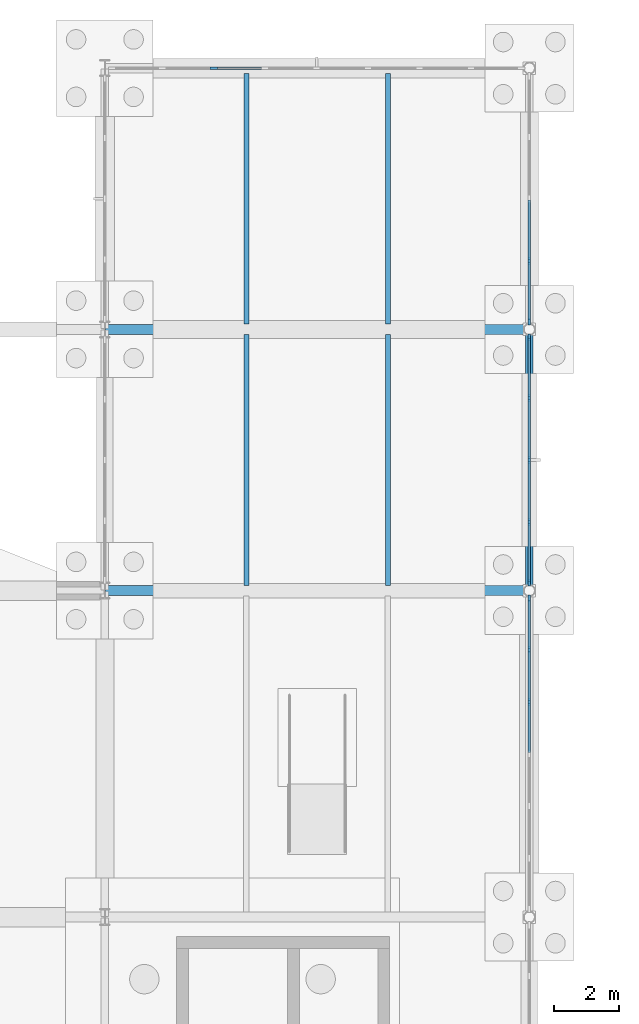
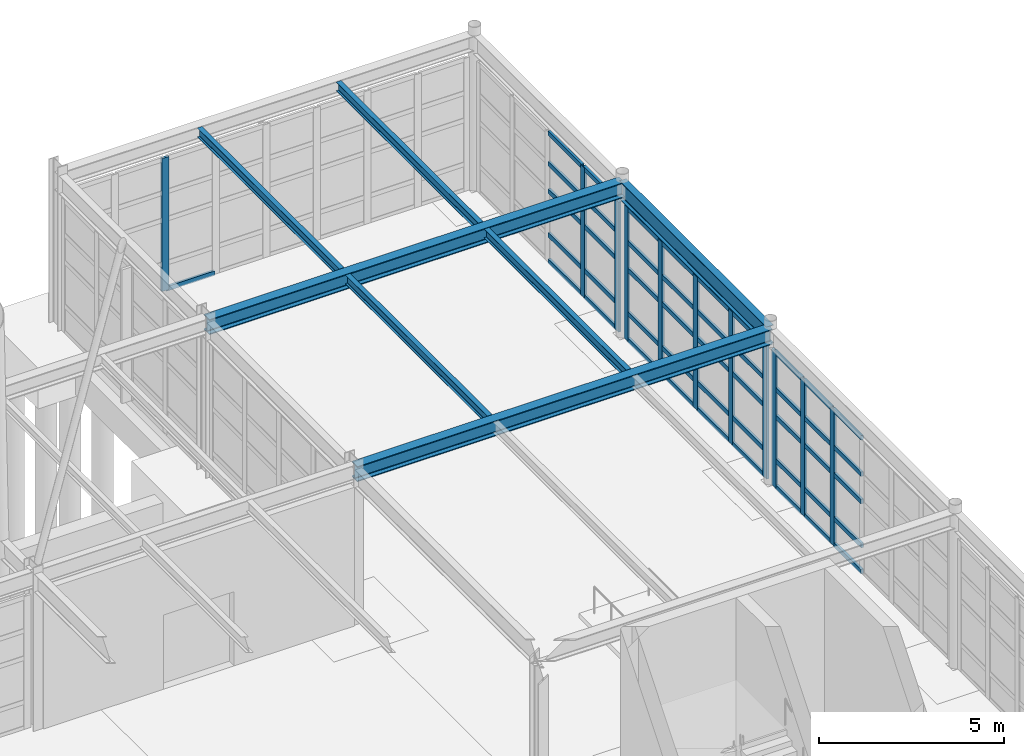
# One storey, part 79 of 145: 57 members, 7 beams, 4 elements without a shape of their own.
"""IFC4 building model written with IfcOpenShell, lengths in metres."""

import ifcopenshell
import ifcopenshell.guid

model = None  # the IFC model being written
_history = None  # IfcOwnerHistory: only IFC2X3 demands one
_inside = {}  # id of a spatial element -> (the spatial element, [elements in it])
_under = {}  # id of a project, library or spatial element -> (it, [spatial elements below it])
_declared = {}  # id of a project -> (the project, [libraries it declares])
_typed = {}  # id of a type object -> (the type object, [elements of that type])
_made_of = {}  # id of a material, layer set ... -> (it, [elements and type objects made of it])


def new_model(schema):
    """Start an empty IFC model of exactly this schema.

    Asked for "IFC4X3", IfcOpenShell would pick the latest addendum, in which some entities
    have other attributes; the version numbers below select the first issue.
    IFC2X3 requires an IfcOwnerHistory on every rooted entity: one is made here for all.
    """
    global model, _history
    if schema == "IFC4X3":
        model = ifcopenshell.file(schema_version=(4, 3, 0, 0))
    else:
        model = ifcopenshell.file(schema=schema)
    _inside.clear()
    _under.clear()
    _declared.clear()
    _typed.clear()
    _made_of.clear()
    _history = None
    if model.schema == "IFC2X3":
        org = make("IfcOrganization", Name="unknown")
        user = make(
            "IfcPersonAndOrganization",
            ThePerson=make("IfcPerson", FamilyName="unknown"),
            TheOrganization=org,
        )
        app = make(
            "IfcApplication",
            ApplicationDeveloper=org,
            Version="unknown",
            ApplicationFullName="unknown",
            ApplicationIdentifier="unknown",
        )
        _history = make(
            "IfcOwnerHistory",
            OwningUser=user,
            OwningApplication=app,
            ChangeAction="ADDED",
            CreationDate=0,
        )
    return model


def make(cls, **values):
    """One entity of the class cls with the attributes given. An attribute that is None is left unset."""
    return model.create_entity(
        cls, **{name: value for name, value in values.items() if value is not None}
    )


def rooted(cls, **values):
    """An entity with a GlobalId (a new one), such as an element, a storey or a relation."""
    return make(cls, GlobalId=ifcopenshell.guid.new(), OwnerHistory=_history, **values)


def si_unit(unit_type, name, prefix=None):
    """IfcSIUnit, for example si_unit("LENGTHUNIT", "METRE", prefix="MILLI")."""
    return make("IfcSIUnit", UnitType=unit_type, Prefix=prefix, Name=name)


def assignment(units):
    """IfcUnitAssignment: the units of a project."""
    return None if units is None else make("IfcUnitAssignment", Units=units)


def point(xyz):
    """IfcCartesianPoint."""
    return None if xyz is None else make("IfcCartesianPoint", Coordinates=xyz)


def direction(xyz):
    """IfcDirection."""
    return None if xyz is None else make("IfcDirection", DirectionRatios=xyz)


def frame(location, z_axis=None, x_axis=None):
    """IfcAxis2Placement3D, a coordinate frame: its origin and axes. An axis left out is left unset."""
    return make(
        "IfcAxis2Placement3D",
        Location=point(location),
        Axis=direction(z_axis),
        RefDirection=direction(x_axis),
    )


def frame_2d(location, x_axis=None):
    """IfcAxis2Placement2D, a coordinate frame in the plane: its origin and x axis."""
    return make(
        "IfcAxis2Placement2D", Location=point(location), RefDirection=direction(x_axis)
    )


def origin():
    """The frame at (0, 0, 0) with its axes left unset."""
    return frame((0.0, 0.0, 0.0))


def origin_2d():
    """The frame at (0, 0) in the plane with its x axis left unset."""
    return frame_2d((0.0, 0.0))


def place(relative_to, where):
    """IfcLocalPlacement: puts the frame where relative to a parent placement (None: the world)."""
    return make(
        "IfcLocalPlacement", PlacementRelTo=relative_to, RelativePlacement=where
    )


def context(
    kind, dimensions, precision=None, world=None, true_north=None, identifier=None
):
    """IfcGeometricRepresentationContext, for example the 3D "Model" context."""
    return make(
        "IfcGeometricRepresentationContext",
        ContextIdentifier=identifier,
        ContextType=kind,
        CoordinateSpaceDimension=dimensions,
        Precision=precision,
        WorldCoordinateSystem=world,
        TrueNorth=true_north,
    )


def subcontext(parent, identifier, kind, view, scale=None):
    """IfcGeometricRepresentationSubContext, for example "Body" below "Model"."""
    return make(
        "IfcGeometricRepresentationSubContext",
        ContextIdentifier=identifier,
        ContextType=kind,
        ParentContext=parent,
        TargetScale=scale,
        TargetView=view,
    )


def project(units=None, contexts=None):
    """IfcProject with its units and contexts."""
    return rooted(
        "IfcProject",
        Name="project",
        RepresentationContexts=contexts,
        UnitsInContext=assignment(units),
    )


def spatial(cls, under=None, at=None, **own):
    """A site, building, storey or space (cls), placed at a placement, below another one or the project."""
    s = rooted(cls, ObjectPlacement=at, **own)
    if under is not None:
        _under.setdefault(under.id(), (under, []))[1].append(s)
    return s


def profile(cls, at=None, kind="AREA", **sizes):
    """A parametric profile (cls). Its sizes go by their IFC names, for example OverallWidth=200.0."""
    return make(cls, ProfileType=kind, Position=at, **sizes)


def rectangle(**sizes):
    """IfcRectangleProfileDef."""
    return profile("IfcRectangleProfileDef", **sizes)


def i_section(**sizes):
    """IfcIShapeProfileDef."""
    return profile("IfcIShapeProfileDef", **sizes)


def extrude(swept, where, along, depth):
    """IfcExtrudedAreaSolid: the profile swept, set in the frame where, extruded along a direction by depth."""
    return make(
        "IfcExtrudedAreaSolid",
        SweptArea=swept,
        Position=where,
        ExtrudedDirection=direction(along),
        Depth=depth,
    )


def shape(context_of_items, identifier, shape_type, items):
    """IfcShapeRepresentation: the items that make up one representation, for example the "Body"."""
    return make(
        "IfcShapeRepresentation",
        ContextOfItems=context_of_items,
        RepresentationIdentifier=identifier,
        RepresentationType=shape_type,
        Items=items,
    )


def material(Name=None, Category=None):
    """IfcMaterial."""
    return make("IfcMaterial", Name=Name, Category=Category)


def layer(
    of_material, thickness, ventilated=None, Name=None, Category=None, Priority=None
):
    """IfcMaterialLayer: one layer of a wall or slab, of a material (None: an air gap)."""
    return make(
        "IfcMaterialLayer",
        Material=of_material,
        LayerThickness=thickness,
        IsVentilated=ventilated,
        Name=Name,
        Category=Category,
        Priority=Priority,
    )


def layer_set(layers, Name=None):
    """IfcMaterialLayerSet."""
    return make("IfcMaterialLayerSet", MaterialLayers=layers, LayerSetName=Name)


def material_profile(
    of_material, cross_section, Name=None, Category=None, Priority=None
):
    """IfcMaterialProfile: a cross section and its material."""
    return make(
        "IfcMaterialProfile",
        Name=Name,
        Material=of_material,
        Profile=cross_section,
        Priority=Priority,
        Category=Category,
    )


def profile_set(profiles, Name=None, composite=None):
    """IfcMaterialProfileSet."""
    return make(
        "IfcMaterialProfileSet",
        Name=Name,
        MaterialProfiles=profiles,
        CompositeProfile=composite,
    )


def made_of(thing, what):
    """Note that an element or type object is made of a material, layer set ...; save() writes the relation."""
    if what is not None:
        _made_of.setdefault(what.id(), (what, []))[1].append(thing)
    return thing


def type_object(cls, material=None, **own):
    """A type object (cls), such as IfcWallType, which elements share."""
    return made_of(rooted(cls, **own), material)


def element(
    cls,
    number,
    at=None,
    inside=None,
    cuts=None,
    type_object=None,
    material=None,
    context=None,
    identifier="Body",
    shape_type=None,
    held_by="IfcProductDefinitionShape",
    body=None,
    shapes=None,
    **own,
):
    """One element of the class cls, such as IfcWall. Its Tag is "e" and its number.

    at: its placement. inside: the storey or other place that contains it. cuts: it is an
    opening in that element (IfcRelVoidsElement). A single representation is given by context,
    identifier, shape_type and body (its items); several are given by shapes. held_by: the class
    of the entity that holds the representations. save() writes the other relations.
    """
    e = rooted(cls, Tag="e%d" % number, ObjectPlacement=at, **own)
    if body is not None:
        shapes = [shape(context, identifier, shape_type, body)]
    if shapes is not None:
        e.Representation = make(held_by, Representations=shapes)
    if inside is not None:
        _inside.setdefault(inside.id(), (inside, []))[1].append(e)
    if cuts is not None:
        rooted(
            "IfcRelVoidsElement", RelatingBuildingElement=cuts, RelatedOpeningElement=e
        )
    if type_object is not None:
        _typed.setdefault(type_object.id(), (type_object, []))[1].append(e)
    return made_of(e, material)


def aggregate(whole, parts):
    """IfcRelAggregates: a whole, such as a stair, and the parts it consists of."""
    return rooted("IfcRelAggregates", RelatingObject=whole, RelatedObjects=parts)


def save(model, path):
    """Write the relations noted so far, then the file.

    IfcRelAggregates (storeys below a building ...), IfcRelContainedInSpatialStructure (elements
    in a storey), IfcRelDefinesByType, IfcRelAssociatesMaterial and IfcRelDeclares: one each for
    every whole, place, type object, material and project.
    """
    for whole, parts in _under.values():
        aggregate(whole, parts)
    for where, things in _inside.values():
        rooted(
            "IfcRelContainedInSpatialStructure",
            RelatedElements=things,
            RelatingStructure=where,
        )
    for kind, things in _typed.values():
        rooted("IfcRelDefinesByType", RelatedObjects=things, RelatingType=kind)
    for what, things in _made_of.values():
        rooted("IfcRelAssociatesMaterial", RelatedObjects=things, RelatingMaterial=what)
    for by, libraries in _declared.values():
        rooted("IfcRelDeclares", RelatingContext=by, RelatedDefinitions=libraries)
    model.write(path)


model = new_model("IFC4")

# Units and contexts
model_context = context("Model", 3, precision=1e-05, world=origin(), true_north=direction((0.0, 1.0)))
body_context = subcontext(model_context, "Body", "Model", "MODEL_VIEW")
ifc_project = project(units=[si_unit("LENGTHUNIT", "METRE"), si_unit("AREAUNIT", "SQUARE_METRE"), si_unit("VOLUMEUNIT", "CUBIC_METRE"), si_unit("PLANEANGLEUNIT", "RADIAN"), si_unit("MASSUNIT", "GRAM", prefix="KILO"), si_unit("THERMODYNAMICTEMPERATUREUNIT", "KELVIN"), si_unit("POWERUNIT", "WATT")], contexts=[model_context])

# Site, building, storey
site_placement = place(None, origin())
site = spatial("IfcSite", under=ifc_project, at=site_placement, CompositionType="ELEMENT")
building_placement = place(site_placement, origin())
building = spatial("IfcBuilding", under=site, at=building_placement, Name="Korenveer Ferry Terminal", CompositionType="ELEMENT")
storey_placement = place(building_placement, origin())
storey = spatial("IfcBuildingStorey", under=building, at=storey_placement, Name="L00", CompositionType="ELEMENT", Elevation=0.0)

# Curtain wall, member
ifc_material_1 = material(Name="Unitised bronze-and-glass curtain wall", Category="glass")
ifc_layer_1 = layer(ifc_material_1, 0.219970703125)
ifc_layer_set_1 = layer_set([ifc_layer_1], Name="Unitised bronze-and-glass curtain wall")
curtain_wall_type_1 = type_object("IfcCurtainWallType", Name="ENV-CW-17", PredefinedType="USERDEFINED", material=ifc_layer_set_1)
curtain_wall_1_placement = place(storey_placement, frame((123.179931640625, 116.0, 0.0)))
curtain_wall_1 = element("IfcCurtainWall", 1, at=curtain_wall_1_placement, inside=storey, type_object=curtain_wall_type_1, Name="Lancet curtain wall CWX-L00-X123-136-Y116-116", ObjectType="UNITISED CURTAIN WALL", PredefinedType="USERDEFINED")
ifc_material_2 = material(Name="Anodised bronze aluminium", Category="aluminium")
ifc_material_profile_1 = material_profile(ifc_material_2, rectangle(XDim=0.074951171875, YDim=0.219970703125, at=origin_2d()), Name="ALU 75x220")
ifc_profile_set_1 = profile_set([ifc_material_profile_1], Name="Anodised bronze aluminium")
member_type_1 = type_object("IfcMemberType", Name="ENV-CWM-75X220", PredefinedType="MULLION", material=ifc_profile_set_1)
member_1_placement = place(storey_placement, frame((126.3330078125, 116.0, 0.0), z_axis=(0.0, 0.0, 1.0), x_axis=(0.0, 1.0, 0.0)))
member_1 = element("IfcMember", 2, at=member_1_placement, type_object=member_type_1, Name="CW-17 mullion 3", PredefinedType="MULLION", context=body_context, shape_type="SweptSolid", body=[
    extrude(rectangle(XDim=0.074951171875, YDim=0.219970703125, at=origin_2d()), origin(), (0.0, 0.0, 1.0), 4.389892578125),
])

# Curtain wall, members
ifc_layer_2 = layer(ifc_material_1, 0.219970703125)
ifc_layer_set_2 = layer_set([ifc_layer_2], Name="Unitised bronze-and-glass curtain wall")
curtain_wall_type_2 = type_object("IfcCurtainWallType", Name="ENV-CW-30", PredefinedType="USERDEFINED", material=ifc_layer_set_2)
curtain_wall_2_placement = place(storey_placement, frame((136.0, 99.792236328125, 0.0)))
curtain_wall_2 = element("IfcCurtainWall", 3, at=curtain_wall_2_placement, inside=storey, type_object=curtain_wall_type_2, Name="Lancet curtain wall CWX-L00-X136-136-Y90-100", ObjectType="UNITISED CURTAIN WALL", PredefinedType="USERDEFINED")
member_2_placement = place(storey_placement, frame((136.0, 99.754638671875, 0.0), z_axis=(0.0, 0.0, 1.0), x_axis=(1.0, 0.0, 0.0)))
member_2 = element("IfcMember", 4, at=member_2_placement, type_object=member_type_1, Name="CW-30 mullion 1", PredefinedType="MULLION", context=body_context, shape_type="SweptSolid", body=[
    extrude(rectangle(XDim=0.074951171875, YDim=0.219970703125, at=origin_2d()), origin(), (0.0, 0.0, 1.0), 4.489990234375),
])
member_3_placement = place(storey_placement, frame((136.0, 98.19482421875, 0.0), z_axis=(0.0, 0.0, 1.0), x_axis=(1.0, 0.0, 0.0)))
member_3 = element("IfcMember", 5, at=member_3_placement, type_object=member_type_1, Name="CW-30 mullion 2", PredefinedType="MULLION", context=body_context, shape_type="SweptSolid", body=[
    extrude(rectangle(XDim=0.074951171875, YDim=0.219970703125, at=origin_2d()), origin(), (0.0, 0.0, 1.0), 4.489990234375),
])
member_4_placement = place(storey_placement, frame((136.0, 96.597412109375, 0.0), z_axis=(0.0, 0.0, 1.0), x_axis=(1.0, 0.0, 0.0)))
member_4 = element("IfcMember", 6, at=member_4_placement, type_object=member_type_1, Name="CW-30 mullion 3", PredefinedType="MULLION", context=body_context, shape_type="SweptSolid", body=[
    extrude(rectangle(XDim=0.074951171875, YDim=0.219970703125, at=origin_2d()), origin(), (0.0, 0.0, 1.0), 4.489990234375),
])

ifc_layer_3 = layer(ifc_material_1, 0.219970703125)
ifc_layer_set_3 = layer_set([ifc_layer_3], Name="Unitised bronze-and-glass curtain wall")
curtain_wall_type_3 = type_object("IfcCurtainWallType", Name="ENV-CW-24", PredefinedType="USERDEFINED", material=ifc_layer_set_3)
curtain_wall_3_placement = place(storey_placement, frame((136.0, 107.792236328125, 0.0)))
curtain_wall_3 = element("IfcCurtainWall", 7, at=curtain_wall_3_placement, inside=storey, type_object=curtain_wall_type_3, Name="Lancet curtain wall CWX-L00-X136-136-Y100-108", ObjectType="UNITISED CURTAIN WALL", PredefinedType="USERDEFINED")
member_5_placement = place(storey_placement, frame((136.0, 107.754638671875, 0.0), z_axis=(0.0, 0.0, 1.0), x_axis=(1.0, 0.0, 0.0)))
member_5 = element("IfcMember", 8, at=member_5_placement, type_object=member_type_1, Name="CW-24 mullion 1", PredefinedType="MULLION", context=body_context, shape_type="SweptSolid", body=[
    extrude(rectangle(XDim=0.074951171875, YDim=0.219970703125, at=origin_2d()), origin(), (0.0, 0.0, 1.0), 4.389892578125),
])
member_6_placement = place(storey_placement, frame((136.0, 105.89599609375, 0.0), z_axis=(0.0, 0.0, 1.0), x_axis=(1.0, 0.0, 0.0)))
member_6 = element("IfcMember", 9, at=member_6_placement, type_object=member_type_1, Name="CW-24 mullion 2", PredefinedType="MULLION", context=body_context, shape_type="SweptSolid", body=[
    extrude(rectangle(XDim=0.074951171875, YDim=0.219970703125, at=origin_2d()), origin(), (0.0, 0.0, 1.0), 4.389892578125),
])
member_7_placement = place(storey_placement, frame((136.0, 104.0, 0.0), z_axis=(0.0, 0.0, 1.0), x_axis=(1.0, 0.0, 0.0)))
member_7 = element("IfcMember", 10, at=member_7_placement, type_object=member_type_1, Name="CW-24 mullion 3", PredefinedType="MULLION", context=body_context, shape_type="SweptSolid", body=[
    extrude(rectangle(XDim=0.074951171875, YDim=0.219970703125, at=origin_2d()), origin(), (0.0, 0.0, 1.0), 4.389892578125),
])
member_8_placement = place(storey_placement, frame((136.0, 102.10400390625, 0.0), z_axis=(0.0, 0.0, 1.0), x_axis=(1.0, 0.0, 0.0)))
member_8 = element("IfcMember", 11, at=member_8_placement, type_object=member_type_1, Name="CW-24 mullion 4", PredefinedType="MULLION", context=body_context, shape_type="SweptSolid", body=[
    extrude(rectangle(XDim=0.074951171875, YDim=0.219970703125, at=origin_2d()), origin(), (0.0, 0.0, 1.0), 4.389892578125),
])
member_9_placement = place(storey_placement, frame((136.0, 100.245361328125, 0.0), z_axis=(0.0, 0.0, 1.0), x_axis=(1.0, 0.0, 0.0)))
member_9 = element("IfcMember", 12, at=member_9_placement, type_object=member_type_1, Name="CW-24 mullion 5", PredefinedType="MULLION", context=body_context, shape_type="SweptSolid", body=[
    extrude(rectangle(XDim=0.074951171875, YDim=0.219970703125, at=origin_2d()), origin(), (0.0, 0.0, 1.0), 4.389892578125),
])

ifc_layer_4 = layer(ifc_material_1, 0.219970703125)
ifc_layer_set_4 = layer_set([ifc_layer_4], Name="Unitised bronze-and-glass curtain wall")
curtain_wall_type_4 = type_object("IfcCurtainWallType", Name="ENV-CW-31", PredefinedType="USERDEFINED", material=ifc_layer_set_4)
curtain_wall_4_placement = place(storey_placement, frame((136.0, 115.792236328125, 0.0)))
curtain_wall_4 = element("IfcCurtainWall", 13, at=curtain_wall_4_placement, inside=storey, type_object=curtain_wall_type_4, Name="Lancet curtain wall CWX-L00-X136-136-Y108-116", ObjectType="UNITISED CURTAIN WALL", PredefinedType="USERDEFINED")
member_10_placement = place(storey_placement, frame((136.0, 110.10400390625, 0.0), z_axis=(0.0, 0.0, 1.0), x_axis=(1.0, 0.0, 0.0)))
member_10 = element("IfcMember", 14, at=member_10_placement, type_object=member_type_1, Name="CW-31 mullion 4", PredefinedType="MULLION", context=body_context, shape_type="SweptSolid", body=[
    extrude(rectangle(XDim=0.074951171875, YDim=0.219970703125, at=origin_2d()), origin(), (0.0, 0.0, 1.0), 4.2900390625),
])
member_11_placement = place(storey_placement, frame((136.0, 108.245361328125, 0.0), z_axis=(0.0, 0.0, 1.0), x_axis=(1.0, 0.0, 0.0)))
member_11 = element("IfcMember", 15, at=member_11_placement, type_object=member_type_1, Name="CW-31 mullion 5", PredefinedType="MULLION", context=body_context, shape_type="SweptSolid", body=[
    extrude(rectangle(XDim=0.074951171875, YDim=0.219970703125, at=origin_2d()), origin(), (0.0, 0.0, 1.0), 4.2900390625),
])

# Member
ifc_material_profile_2 = material_profile(ifc_material_2, rectangle(XDim=0.074951171875, YDim=0.14990234375, at=origin_2d()), Name="ALU 75x150")
ifc_profile_set_2 = profile_set([ifc_material_profile_2], Name="Anodised bronze aluminium")
member_type_2 = type_object("IfcMemberType", Name="ENV-CWT-75X150", PredefinedType="USERDEFINED", material=ifc_profile_set_2)
member_12_placement = place(storey_placement, frame((126.37060546875, 116.0, 0.03759765625), z_axis=(1.0, 0.0, 0.0), x_axis=(0.0, 1.0, 0.0)))
member_12 = element("IfcMember", 16, at=member_12_placement, type_object=member_type_2, Name="CW-17 transom 3.1", ObjectType="TRANSOM", PredefinedType="USERDEFINED", context=body_context, shape_type="SweptSolid", body=[
    extrude(rectangle(XDim=0.074951171875, YDim=0.14990234375, at=origin_2d()), origin(), (0.0, 0.0, 1.0), 1.50146484375),
])

aggregate(curtain_wall_1, [member_1, member_12])

member_13_placement = place(storey_placement, frame((136.0, 99.71728515625, 0.03759765625), z_axis=(0.0, -1.0, 0.0), x_axis=(1.0, 0.0, 0.0)))
member_13 = element("IfcMember", 17, at=member_13_placement, type_object=member_type_2, Name="CW-30 transom 1.1", ObjectType="TRANSOM", PredefinedType="USERDEFINED", context=body_context, shape_type="SweptSolid", body=[
    extrude(rectangle(XDim=0.074951171875, YDim=0.14990234375, at=origin_2d()), origin(), (0.0, 0.0, 1.0), 1.48486328125),
])

member_14_placement = place(storey_placement, frame((136.0, 99.71728515625, 0.89990234375), z_axis=(0.0, -1.0, 0.0), x_axis=(1.0, 0.0, 0.0)))
member_14 = element("IfcMember", 18, at=member_14_placement, type_object=member_type_2, Name="CW-30 transom 1.2", ObjectType="TRANSOM", PredefinedType="USERDEFINED", context=body_context, shape_type="SweptSolid", body=[
    extrude(rectangle(XDim=0.074951171875, YDim=0.14990234375, at=origin_2d()), origin(), (0.0, 0.0, 1.0), 1.48486328125),
])

member_15_placement = place(storey_placement, frame((136.0, 99.71728515625, 2.35009765625), z_axis=(0.0, -1.0, 0.0), x_axis=(1.0, 0.0, 0.0)))
member_15 = element("IfcMember", 19, at=member_15_placement, type_object=member_type_2, Name="CW-30 transom 1.3", ObjectType="TRANSOM", PredefinedType="USERDEFINED", context=body_context, shape_type="SweptSolid", body=[
    extrude(rectangle(XDim=0.074951171875, YDim=0.14990234375, at=origin_2d()), origin(), (0.0, 0.0, 1.0), 1.48486328125),
])

member_16_placement = place(storey_placement, frame((136.0, 99.71728515625, 3.25), z_axis=(0.0, -1.0, 0.0), x_axis=(1.0, 0.0, 0.0)))
member_16 = element("IfcMember", 20, at=member_16_placement, type_object=member_type_2, Name="CW-30 transom 1.4", ObjectType="TRANSOM", PredefinedType="USERDEFINED", context=body_context, shape_type="SweptSolid", body=[
    extrude(rectangle(XDim=0.074951171875, YDim=0.14990234375, at=origin_2d()), origin(), (0.0, 0.0, 1.0), 1.48486328125),
])

member_17_placement = place(storey_placement, frame((136.0, 99.71728515625, 4.452392578125), z_axis=(0.0, -1.0, 0.0), x_axis=(1.0, 0.0, 0.0)))
member_17 = element("IfcMember", 21, at=member_17_placement, type_object=member_type_2, Name="CW-30 transom 1.5", ObjectType="TRANSOM", PredefinedType="USERDEFINED", context=body_context, shape_type="SweptSolid", body=[
    extrude(rectangle(XDim=0.074951171875, YDim=0.14990234375, at=origin_2d()), origin(), (0.0, 0.0, 1.0), 1.48486328125),
])

member_18_placement = place(storey_placement, frame((136.0, 98.1572265625, 0.03759765625), z_axis=(0.0, -1.0, 0.0), x_axis=(1.0, 0.0, 0.0)))
member_18 = element("IfcMember", 22, at=member_18_placement, type_object=member_type_2, Name="CW-30 transom 2.1", ObjectType="TRANSOM", PredefinedType="USERDEFINED", context=body_context, shape_type="SweptSolid", body=[
    extrude(rectangle(XDim=0.074951171875, YDim=0.14990234375, at=origin_2d()), origin(), (0.0, 0.0, 1.0), 1.522216796875),
])

member_19_placement = place(storey_placement, frame((136.0, 98.1572265625, 0.89990234375), z_axis=(0.0, -1.0, 0.0), x_axis=(1.0, 0.0, 0.0)))
member_19 = element("IfcMember", 23, at=member_19_placement, type_object=member_type_2, Name="CW-30 transom 2.2", ObjectType="TRANSOM", PredefinedType="USERDEFINED", context=body_context, shape_type="SweptSolid", body=[
    extrude(rectangle(XDim=0.074951171875, YDim=0.14990234375, at=origin_2d()), origin(), (0.0, 0.0, 1.0), 1.522216796875),
])

member_20_placement = place(storey_placement, frame((136.0, 98.1572265625, 2.35009765625), z_axis=(0.0, -1.0, 0.0), x_axis=(1.0, 0.0, 0.0)))
member_20 = element("IfcMember", 24, at=member_20_placement, type_object=member_type_2, Name="CW-30 transom 2.3", ObjectType="TRANSOM", PredefinedType="USERDEFINED", context=body_context, shape_type="SweptSolid", body=[
    extrude(rectangle(XDim=0.074951171875, YDim=0.14990234375, at=origin_2d()), origin(), (0.0, 0.0, 1.0), 1.522216796875),
])

member_21_placement = place(storey_placement, frame((136.0, 98.1572265625, 3.25), z_axis=(0.0, -1.0, 0.0), x_axis=(1.0, 0.0, 0.0)))
member_21 = element("IfcMember", 25, at=member_21_placement, type_object=member_type_2, Name="CW-30 transom 2.4", ObjectType="TRANSOM", PredefinedType="USERDEFINED", context=body_context, shape_type="SweptSolid", body=[
    extrude(rectangle(XDim=0.074951171875, YDim=0.14990234375, at=origin_2d()), origin(), (0.0, 0.0, 1.0), 1.522216796875),
])

member_22_placement = place(storey_placement, frame((136.0, 98.1572265625, 4.452392578125), z_axis=(0.0, -1.0, 0.0), x_axis=(1.0, 0.0, 0.0)))
member_22 = element("IfcMember", 26, at=member_22_placement, type_object=member_type_2, Name="CW-30 transom 2.5", ObjectType="TRANSOM", PredefinedType="USERDEFINED", context=body_context, shape_type="SweptSolid", body=[
    extrude(rectangle(XDim=0.074951171875, YDim=0.14990234375, at=origin_2d()), origin(), (0.0, 0.0, 1.0), 1.522216796875),
])

member_23_placement = place(storey_placement, frame((136.0, 96.559814453125, 0.03759765625), z_axis=(0.0, -1.0, 0.0), x_axis=(1.0, 0.0, 0.0)))
member_23 = element("IfcMember", 27, at=member_23_placement, type_object=member_type_2, Name="CW-30 transom 3.1", ObjectType="TRANSOM", PredefinedType="USERDEFINED", context=body_context, shape_type="SweptSolid", body=[
    extrude(rectangle(XDim=0.074951171875, YDim=0.14990234375, at=origin_2d()), origin(), (0.0, 0.0, 1.0), 1.522216796875),
])

member_24_placement = place(storey_placement, frame((136.0, 96.559814453125, 0.89990234375), z_axis=(0.0, -1.0, 0.0), x_axis=(1.0, 0.0, 0.0)))
member_24 = element("IfcMember", 28, at=member_24_placement, type_object=member_type_2, Name="CW-30 transom 3.2", ObjectType="TRANSOM", PredefinedType="USERDEFINED", context=body_context, shape_type="SweptSolid", body=[
    extrude(rectangle(XDim=0.074951171875, YDim=0.14990234375, at=origin_2d()), origin(), (0.0, 0.0, 1.0), 1.522216796875),
])

member_25_placement = place(storey_placement, frame((136.0, 96.559814453125, 2.35009765625), z_axis=(0.0, -1.0, 0.0), x_axis=(1.0, 0.0, 0.0)))
member_25 = element("IfcMember", 29, at=member_25_placement, type_object=member_type_2, Name="CW-30 transom 3.3", ObjectType="TRANSOM", PredefinedType="USERDEFINED", context=body_context, shape_type="SweptSolid", body=[
    extrude(rectangle(XDim=0.074951171875, YDim=0.14990234375, at=origin_2d()), origin(), (0.0, 0.0, 1.0), 1.522216796875),
])

member_26_placement = place(storey_placement, frame((136.0, 96.559814453125, 3.25), z_axis=(0.0, -1.0, 0.0), x_axis=(1.0, 0.0, 0.0)))
member_26 = element("IfcMember", 30, at=member_26_placement, type_object=member_type_2, Name="CW-30 transom 3.4", ObjectType="TRANSOM", PredefinedType="USERDEFINED", context=body_context, shape_type="SweptSolid", body=[
    extrude(rectangle(XDim=0.074951171875, YDim=0.14990234375, at=origin_2d()), origin(), (0.0, 0.0, 1.0), 1.522216796875),
])

member_27_placement = place(storey_placement, frame((136.0, 96.559814453125, 4.452392578125), z_axis=(0.0, -1.0, 0.0), x_axis=(1.0, 0.0, 0.0)))
member_27 = element("IfcMember", 31, at=member_27_placement, type_object=member_type_2, Name="CW-30 transom 3.5", ObjectType="TRANSOM", PredefinedType="USERDEFINED", context=body_context, shape_type="SweptSolid", body=[
    extrude(rectangle(XDim=0.074951171875, YDim=0.14990234375, at=origin_2d()), origin(), (0.0, 0.0, 1.0), 1.522216796875),
])

aggregate(curtain_wall_2, [member_2, member_3, member_4, member_13, member_14, member_15, member_16, member_17, member_18, member_19, member_20, member_21, member_22, member_23, member_24, member_25, member_26, member_27])

member_28_placement = place(storey_placement, frame((136.0, 107.71728515625, 0.03759765625), z_axis=(0.0, -1.0, 0.0), x_axis=(1.0, 0.0, 0.0)))
member_28 = element("IfcMember", 32, at=member_28_placement, type_object=member_type_2, Name="CW-24 transom 1.1", ObjectType="TRANSOM", PredefinedType="USERDEFINED", context=body_context, shape_type="SweptSolid", body=[
    extrude(rectangle(XDim=0.074951171875, YDim=0.14990234375, at=origin_2d()), origin(), (0.0, 0.0, 1.0), 1.78369140625),
])

member_29_placement = place(storey_placement, frame((136.0, 107.71728515625, 0.89990234375), z_axis=(0.0, -1.0, 0.0), x_axis=(1.0, 0.0, 0.0)))
member_29 = element("IfcMember", 33, at=member_29_placement, type_object=member_type_2, Name="CW-24 transom 1.2", ObjectType="TRANSOM", PredefinedType="USERDEFINED", context=body_context, shape_type="SweptSolid", body=[
    extrude(rectangle(XDim=0.074951171875, YDim=0.14990234375, at=origin_2d()), origin(), (0.0, 0.0, 1.0), 1.78369140625),
])

member_30_placement = place(storey_placement, frame((136.0, 107.71728515625, 2.35009765625), z_axis=(0.0, -1.0, 0.0), x_axis=(1.0, 0.0, 0.0)))
member_30 = element("IfcMember", 34, at=member_30_placement, type_object=member_type_2, Name="CW-24 transom 1.3", ObjectType="TRANSOM", PredefinedType="USERDEFINED", context=body_context, shape_type="SweptSolid", body=[
    extrude(rectangle(XDim=0.074951171875, YDim=0.14990234375, at=origin_2d()), origin(), (0.0, 0.0, 1.0), 1.78369140625),
])

member_31_placement = place(storey_placement, frame((136.0, 107.71728515625, 3.25), z_axis=(0.0, -1.0, 0.0), x_axis=(1.0, 0.0, 0.0)))
member_31 = element("IfcMember", 35, at=member_31_placement, type_object=member_type_2, Name="CW-24 transom 1.4", ObjectType="TRANSOM", PredefinedType="USERDEFINED", context=body_context, shape_type="SweptSolid", body=[
    extrude(rectangle(XDim=0.074951171875, YDim=0.14990234375, at=origin_2d()), origin(), (0.0, 0.0, 1.0), 1.78369140625),
])

member_32_placement = place(storey_placement, frame((136.0, 107.71728515625, 4.3525390625), z_axis=(0.0, -1.0, 0.0), x_axis=(1.0, 0.0, 0.0)))
member_32 = element("IfcMember", 36, at=member_32_placement, type_object=member_type_2, Name="CW-24 transom 1.5", ObjectType="TRANSOM", PredefinedType="USERDEFINED", context=body_context, shape_type="SweptSolid", body=[
    extrude(rectangle(XDim=0.074951171875, YDim=0.14990234375, at=origin_2d()), origin(), (0.0, 0.0, 1.0), 1.78369140625),
])

member_33_placement = place(storey_placement, frame((136.0, 105.858642578125, 0.03759765625), z_axis=(0.0, -1.0, 0.0), x_axis=(1.0, 0.0, 0.0)))
member_33 = element("IfcMember", 37, at=member_33_placement, type_object=member_type_2, Name="CW-24 transom 2.1", ObjectType="TRANSOM", PredefinedType="USERDEFINED", context=body_context, shape_type="SweptSolid", body=[
    extrude(rectangle(XDim=0.074951171875, YDim=0.14990234375, at=origin_2d()), origin(), (0.0, 0.0, 1.0), 1.821044921875),
])

member_34_placement = place(storey_placement, frame((136.0, 105.858642578125, 0.89990234375), z_axis=(0.0, -1.0, 0.0), x_axis=(1.0, 0.0, 0.0)))
member_34 = element("IfcMember", 38, at=member_34_placement, type_object=member_type_2, Name="CW-24 transom 2.2", ObjectType="TRANSOM", PredefinedType="USERDEFINED", context=body_context, shape_type="SweptSolid", body=[
    extrude(rectangle(XDim=0.074951171875, YDim=0.14990234375, at=origin_2d()), origin(), (0.0, 0.0, 1.0), 1.821044921875),
])

member_35_placement = place(storey_placement, frame((136.0, 105.858642578125, 2.35009765625), z_axis=(0.0, -1.0, 0.0), x_axis=(1.0, 0.0, 0.0)))
member_35 = element("IfcMember", 39, at=member_35_placement, type_object=member_type_2, Name="CW-24 transom 2.3", ObjectType="TRANSOM", PredefinedType="USERDEFINED", context=body_context, shape_type="SweptSolid", body=[
    extrude(rectangle(XDim=0.074951171875, YDim=0.14990234375, at=origin_2d()), origin(), (0.0, 0.0, 1.0), 1.821044921875),
])

member_36_placement = place(storey_placement, frame((136.0, 105.858642578125, 3.25), z_axis=(0.0, -1.0, 0.0), x_axis=(1.0, 0.0, 0.0)))
member_36 = element("IfcMember", 40, at=member_36_placement, type_object=member_type_2, Name="CW-24 transom 2.4", ObjectType="TRANSOM", PredefinedType="USERDEFINED", context=body_context, shape_type="SweptSolid", body=[
    extrude(rectangle(XDim=0.074951171875, YDim=0.14990234375, at=origin_2d()), origin(), (0.0, 0.0, 1.0), 1.821044921875),
])

member_37_placement = place(storey_placement, frame((136.0, 105.858642578125, 4.3525390625), z_axis=(0.0, -1.0, 0.0), x_axis=(1.0, 0.0, 0.0)))
member_37 = element("IfcMember", 41, at=member_37_placement, type_object=member_type_2, Name="CW-24 transom 2.5", ObjectType="TRANSOM", PredefinedType="USERDEFINED", context=body_context, shape_type="SweptSolid", body=[
    extrude(rectangle(XDim=0.074951171875, YDim=0.14990234375, at=origin_2d()), origin(), (0.0, 0.0, 1.0), 1.821044921875),
])

member_38_placement = place(storey_placement, frame((136.0, 103.96240234375, 0.03759765625), z_axis=(0.0, -1.0, 0.0), x_axis=(1.0, 0.0, 0.0)))
member_38 = element("IfcMember", 42, at=member_38_placement, type_object=member_type_2, Name="CW-24 transom 3.1", ObjectType="TRANSOM", PredefinedType="USERDEFINED", context=body_context, shape_type="SweptSolid", body=[
    extrude(rectangle(XDim=0.074951171875, YDim=0.14990234375, at=origin_2d()), origin(), (0.0, 0.0, 1.0), 1.821044921875),
])

member_39_placement = place(storey_placement, frame((136.0, 103.96240234375, 0.89990234375), z_axis=(0.0, -1.0, 0.0), x_axis=(1.0, 0.0, 0.0)))
member_39 = element("IfcMember", 43, at=member_39_placement, type_object=member_type_2, Name="CW-24 transom 3.2", ObjectType="TRANSOM", PredefinedType="USERDEFINED", context=body_context, shape_type="SweptSolid", body=[
    extrude(rectangle(XDim=0.074951171875, YDim=0.14990234375, at=origin_2d()), origin(), (0.0, 0.0, 1.0), 1.821044921875),
])

member_40_placement = place(storey_placement, frame((136.0, 103.96240234375, 2.35009765625), z_axis=(0.0, -1.0, 0.0), x_axis=(1.0, 0.0, 0.0)))
member_40 = element("IfcMember", 44, at=member_40_placement, type_object=member_type_2, Name="CW-24 transom 3.3", ObjectType="TRANSOM", PredefinedType="USERDEFINED", context=body_context, shape_type="SweptSolid", body=[
    extrude(rectangle(XDim=0.074951171875, YDim=0.14990234375, at=origin_2d()), origin(), (0.0, 0.0, 1.0), 1.821044921875),
])

member_41_placement = place(storey_placement, frame((136.0, 103.96240234375, 3.25), z_axis=(0.0, -1.0, 0.0), x_axis=(1.0, 0.0, 0.0)))
member_41 = element("IfcMember", 45, at=member_41_placement, type_object=member_type_2, Name="CW-24 transom 3.4", ObjectType="TRANSOM", PredefinedType="USERDEFINED", context=body_context, shape_type="SweptSolid", body=[
    extrude(rectangle(XDim=0.074951171875, YDim=0.14990234375, at=origin_2d()), origin(), (0.0, 0.0, 1.0), 1.821044921875),
])

member_42_placement = place(storey_placement, frame((136.0, 103.96240234375, 4.3525390625), z_axis=(0.0, -1.0, 0.0), x_axis=(1.0, 0.0, 0.0)))
member_42 = element("IfcMember", 46, at=member_42_placement, type_object=member_type_2, Name="CW-24 transom 3.5", ObjectType="TRANSOM", PredefinedType="USERDEFINED", context=body_context, shape_type="SweptSolid", body=[
    extrude(rectangle(XDim=0.074951171875, YDim=0.14990234375, at=origin_2d()), origin(), (0.0, 0.0, 1.0), 1.821044921875),
])

member_43_placement = place(storey_placement, frame((136.0, 102.06640625, 0.03759765625), z_axis=(0.0, -1.0, 0.0), x_axis=(1.0, 0.0, 0.0)))
member_43 = element("IfcMember", 47, at=member_43_placement, type_object=member_type_2, Name="CW-24 transom 4.1", ObjectType="TRANSOM", PredefinedType="USERDEFINED", context=body_context, shape_type="SweptSolid", body=[
    extrude(rectangle(XDim=0.074951171875, YDim=0.14990234375, at=origin_2d()), origin(), (0.0, 0.0, 1.0), 1.78369140625),
])

member_44_placement = place(storey_placement, frame((136.0, 102.06640625, 0.89990234375), z_axis=(0.0, -1.0, 0.0), x_axis=(1.0, 0.0, 0.0)))
member_44 = element("IfcMember", 48, at=member_44_placement, type_object=member_type_2, Name="CW-24 transom 4.2", ObjectType="TRANSOM", PredefinedType="USERDEFINED", context=body_context, shape_type="SweptSolid", body=[
    extrude(rectangle(XDim=0.074951171875, YDim=0.14990234375, at=origin_2d()), origin(), (0.0, 0.0, 1.0), 1.78369140625),
])

member_45_placement = place(storey_placement, frame((136.0, 102.06640625, 2.35009765625), z_axis=(0.0, -1.0, 0.0), x_axis=(1.0, 0.0, 0.0)))
member_45 = element("IfcMember", 49, at=member_45_placement, type_object=member_type_2, Name="CW-24 transom 4.3", ObjectType="TRANSOM", PredefinedType="USERDEFINED", context=body_context, shape_type="SweptSolid", body=[
    extrude(rectangle(XDim=0.074951171875, YDim=0.14990234375, at=origin_2d()), origin(), (0.0, 0.0, 1.0), 1.78369140625),
])

member_46_placement = place(storey_placement, frame((136.0, 102.06640625, 3.25), z_axis=(0.0, -1.0, 0.0), x_axis=(1.0, 0.0, 0.0)))
member_46 = element("IfcMember", 50, at=member_46_placement, type_object=member_type_2, Name="CW-24 transom 4.4", ObjectType="TRANSOM", PredefinedType="USERDEFINED", context=body_context, shape_type="SweptSolid", body=[
    extrude(rectangle(XDim=0.074951171875, YDim=0.14990234375, at=origin_2d()), origin(), (0.0, 0.0, 1.0), 1.78369140625),
])

member_47_placement = place(storey_placement, frame((136.0, 102.06640625, 4.3525390625), z_axis=(0.0, -1.0, 0.0), x_axis=(1.0, 0.0, 0.0)))
member_47 = element("IfcMember", 51, at=member_47_placement, type_object=member_type_2, Name="CW-24 transom 4.5", ObjectType="TRANSOM", PredefinedType="USERDEFINED", context=body_context, shape_type="SweptSolid", body=[
    extrude(rectangle(XDim=0.074951171875, YDim=0.14990234375, at=origin_2d()), origin(), (0.0, 0.0, 1.0), 1.78369140625),
])

aggregate(curtain_wall_3, [member_5, member_6, member_7, member_8, member_9, member_28, member_29, member_30, member_31, member_32, member_33, member_34, member_35, member_36, member_37, member_38, member_39, member_40, member_41, member_42, member_43, member_44, member_45, member_46, member_47])

member_48_placement = place(storey_placement, frame((136.0, 111.96240234375, 0.03759765625), z_axis=(0.0, -1.0, 0.0), x_axis=(1.0, 0.0, 0.0)))
member_48 = element("IfcMember", 52, at=member_48_placement, type_object=member_type_2, Name="CW-31 transom 3.1", ObjectType="TRANSOM", PredefinedType="USERDEFINED", context=body_context, shape_type="SweptSolid", body=[
    extrude(rectangle(XDim=0.074951171875, YDim=0.14990234375, at=origin_2d()), origin(), (0.0, 0.0, 1.0), 1.821044921875),
])

member_49_placement = place(storey_placement, frame((136.0, 111.96240234375, 0.89990234375), z_axis=(0.0, -1.0, 0.0), x_axis=(1.0, 0.0, 0.0)))
member_49 = element("IfcMember", 53, at=member_49_placement, type_object=member_type_2, Name="CW-31 transom 3.2", ObjectType="TRANSOM", PredefinedType="USERDEFINED", context=body_context, shape_type="SweptSolid", body=[
    extrude(rectangle(XDim=0.074951171875, YDim=0.14990234375, at=origin_2d()), origin(), (0.0, 0.0, 1.0), 1.821044921875),
])

member_50_placement = place(storey_placement, frame((136.0, 111.96240234375, 2.35009765625), z_axis=(0.0, -1.0, 0.0), x_axis=(1.0, 0.0, 0.0)))
member_50 = element("IfcMember", 54, at=member_50_placement, type_object=member_type_2, Name="CW-31 transom 3.3", ObjectType="TRANSOM", PredefinedType="USERDEFINED", context=body_context, shape_type="SweptSolid", body=[
    extrude(rectangle(XDim=0.074951171875, YDim=0.14990234375, at=origin_2d()), origin(), (0.0, 0.0, 1.0), 1.821044921875),
])

member_51_placement = place(storey_placement, frame((136.0, 111.96240234375, 3.25), z_axis=(0.0, -1.0, 0.0), x_axis=(1.0, 0.0, 0.0)))
member_51 = element("IfcMember", 55, at=member_51_placement, type_object=member_type_2, Name="CW-31 transom 3.4", ObjectType="TRANSOM", PredefinedType="USERDEFINED", context=body_context, shape_type="SweptSolid", body=[
    extrude(rectangle(XDim=0.074951171875, YDim=0.14990234375, at=origin_2d()), origin(), (0.0, 0.0, 1.0), 1.821044921875),
])

member_52_placement = place(storey_placement, frame((136.0, 111.96240234375, 4.25244140625), z_axis=(0.0, -1.0, 0.0), x_axis=(1.0, 0.0, 0.0)))
member_52 = element("IfcMember", 56, at=member_52_placement, type_object=member_type_2, Name="CW-31 transom 3.5", ObjectType="TRANSOM", PredefinedType="USERDEFINED", context=body_context, shape_type="SweptSolid", body=[
    extrude(rectangle(XDim=0.074951171875, YDim=0.14990234375, at=origin_2d()), origin(), (0.0, 0.0, 1.0), 1.821044921875),
])

member_53_placement = place(storey_placement, frame((136.0, 110.06640625, 0.03759765625), z_axis=(0.0, -1.0, 0.0), x_axis=(1.0, 0.0, 0.0)))
member_53 = element("IfcMember", 57, at=member_53_placement, type_object=member_type_2, Name="CW-31 transom 4.1", ObjectType="TRANSOM", PredefinedType="USERDEFINED", context=body_context, shape_type="SweptSolid", body=[
    extrude(rectangle(XDim=0.074951171875, YDim=0.14990234375, at=origin_2d()), origin(), (0.0, 0.0, 1.0), 1.78369140625),
])

member_54_placement = place(storey_placement, frame((136.0, 110.06640625, 0.89990234375), z_axis=(0.0, -1.0, 0.0), x_axis=(1.0, 0.0, 0.0)))
member_54 = element("IfcMember", 58, at=member_54_placement, type_object=member_type_2, Name="CW-31 transom 4.2", ObjectType="TRANSOM", PredefinedType="USERDEFINED", context=body_context, shape_type="SweptSolid", body=[
    extrude(rectangle(XDim=0.074951171875, YDim=0.14990234375, at=origin_2d()), origin(), (0.0, 0.0, 1.0), 1.78369140625),
])

member_55_placement = place(storey_placement, frame((136.0, 110.06640625, 2.35009765625), z_axis=(0.0, -1.0, 0.0), x_axis=(1.0, 0.0, 0.0)))
member_55 = element("IfcMember", 59, at=member_55_placement, type_object=member_type_2, Name="CW-31 transom 4.3", ObjectType="TRANSOM", PredefinedType="USERDEFINED", context=body_context, shape_type="SweptSolid", body=[
    extrude(rectangle(XDim=0.074951171875, YDim=0.14990234375, at=origin_2d()), origin(), (0.0, 0.0, 1.0), 1.78369140625),
])

member_56_placement = place(storey_placement, frame((136.0, 110.06640625, 3.25), z_axis=(0.0, -1.0, 0.0), x_axis=(1.0, 0.0, 0.0)))
member_56 = element("IfcMember", 60, at=member_56_placement, type_object=member_type_2, Name="CW-31 transom 4.4", ObjectType="TRANSOM", PredefinedType="USERDEFINED", context=body_context, shape_type="SweptSolid", body=[
    extrude(rectangle(XDim=0.074951171875, YDim=0.14990234375, at=origin_2d()), origin(), (0.0, 0.0, 1.0), 1.78369140625),
])

member_57_placement = place(storey_placement, frame((136.0, 110.06640625, 4.25244140625), z_axis=(0.0, -1.0, 0.0), x_axis=(1.0, 0.0, 0.0)))
member_57 = element("IfcMember", 61, at=member_57_placement, type_object=member_type_2, Name="CW-31 transom 4.5", ObjectType="TRANSOM", PredefinedType="USERDEFINED", context=body_context, shape_type="SweptSolid", body=[
    extrude(rectangle(XDim=0.074951171875, YDim=0.14990234375, at=origin_2d()), origin(), (0.0, 0.0, 1.0), 1.78369140625),
])

aggregate(curtain_wall_4, [member_10, member_11, member_48, member_49, member_50, member_51, member_52, member_53, member_54, member_55, member_56, member_57])

# Beams
ifc_material_3 = material(Name="Steel S355", Category="steel")
ifc_material_profile_3 = material_profile(ifc_material_3, i_section(OverallWidth=0.300048828125, OverallDepth=0.5, WebThickness=0.014404296875, FlangeThickness=0.028076171875, FilletRadius=0.027099609375, at=origin_2d()), Name="HEB 500")
ifc_profile_set_3 = profile_set([ifc_material_profile_3], Name="Steel S355")
beam_type_1 = type_object("IfcBeamType", Name="STR-BM-HEB500", PredefinedType="BEAM", material=ifc_profile_set_3)
for number, where, z_axis, x_axis, name in (
    (62, (123.02001953125, 100.0, 4.8701171875), (1.0, 0.0, 0.0), (0.0, 1.0, 0.0), "Primary X girder BMX-L01-X123-136-Y100"),
    (63, (123.02001953125, 108.0, 4.8701171875), (1.0, 0.0, 0.0), (0.0, 1.0, 0.0), "Primary X girder BMX-L01-X123-136-Y108"),
):
    element("IfcBeam", number, at=place(storey_placement, frame(where, z_axis=z_axis, x_axis=x_axis)), inside=storey, type_object=beam_type_1, Name=name, PredefinedType="BEAM", context=body_context, shape_type="SweptSolid", body=[
        extrude(i_section(OverallWidth=0.300048828125, OverallDepth=0.5, WebThickness=0.014404296875, FlangeThickness=0.028076171875, FilletRadius=0.027099609375, at=origin_2d()), origin(), (0.0, 0.0, 1.0), 12.9599609375),
    ])
ifc_material_profile_4 = material_profile(ifc_material_3, i_section(OverallWidth=0.219970703125, OverallDepth=0.60009765625, WebThickness=0.011962890625, FlangeThickness=0.01904296875, FilletRadius=0.02392578125, at=origin_2d()), Name="IPE 600")
ifc_profile_set_4 = profile_set([ifc_material_profile_4], Name="Steel S355")
beam_type_2 = type_object("IfcBeamType", Name="STR-BM-IPE600", PredefinedType="BEAM", material=ifc_profile_set_4)
beam_placement = place(storey_placement, frame((136.0, 100.02001953125, 4.820068359375), z_axis=(0.0, 1.0, 0.0), x_axis=(-1.0, 0.0, 0.0)))
element("IfcBeam", 64, at=beam_placement, inside=storey, type_object=beam_type_2, Name="Primary Y girder BMY-L01-X136-Y100-108", PredefinedType="BEAM", context=body_context, shape_type="SweptSolid", body=[
    extrude(i_section(OverallWidth=0.219970703125, OverallDepth=0.60009765625, WebThickness=0.011962890625, FlangeThickness=0.01904296875, FilletRadius=0.02392578125, at=origin_2d()), origin(), (0.0, 0.0, 1.0), 7.9599609375),
])
ifc_material_profile_5 = material_profile(ifc_material_3, i_section(OverallWidth=0.14990234375, OverallDepth=0.300048828125, WebThickness=0.007080078125, FlangeThickness=0.0107421875, FilletRadius=0.014892578125, at=origin_2d()), Name="IPE 300")
ifc_profile_set_5 = profile_set([ifc_material_profile_5], Name="Steel S355")
beam_type_3 = type_object("IfcBeamType", Name="STR-JST-IPE300", PredefinedType="JOIST", material=ifc_profile_set_5)
for number, where, z_axis, x_axis, name in (
    (65, (127.333251953125, 100.159912109375, 4.969970703125), (0.0, 1.0, 0.0), (-1.0, 0.0, 0.0), "Secondary composite joist JST-L01-X1273-Y100-108"),
    (66, (131.666748046875, 100.159912109375, 4.969970703125), (0.0, 1.0, 0.0), (-1.0, 0.0, 0.0), "Secondary composite joist JST-L01-X1317-Y100-108"),
    (67, (127.333251953125, 108.159912109375, 4.969970703125), (0.0, 1.0, 0.0), (-1.0, 0.0, 0.0), "Secondary composite joist JST-L01-X1273-Y108-116"),
    (68, (131.666748046875, 108.159912109375, 4.969970703125), (0.0, 1.0, 0.0), (-1.0, 0.0, 0.0), "Secondary composite joist JST-L01-X1317-Y108-116"),
):
    element("IfcBeam", number, at=place(storey_placement, frame(where, z_axis=z_axis, x_axis=x_axis)), inside=storey, type_object=beam_type_3, Name=name, PredefinedType="JOIST", context=body_context, shape_type="SweptSolid", body=[
        extrude(i_section(OverallWidth=0.14990234375, OverallDepth=0.300048828125, WebThickness=0.007080078125, FlangeThickness=0.0107421875, FilletRadius=0.014892578125, at=origin_2d()), origin(), (0.0, 0.0, 1.0), 7.68017578125),
    ])

save(model, "model.ifc")
